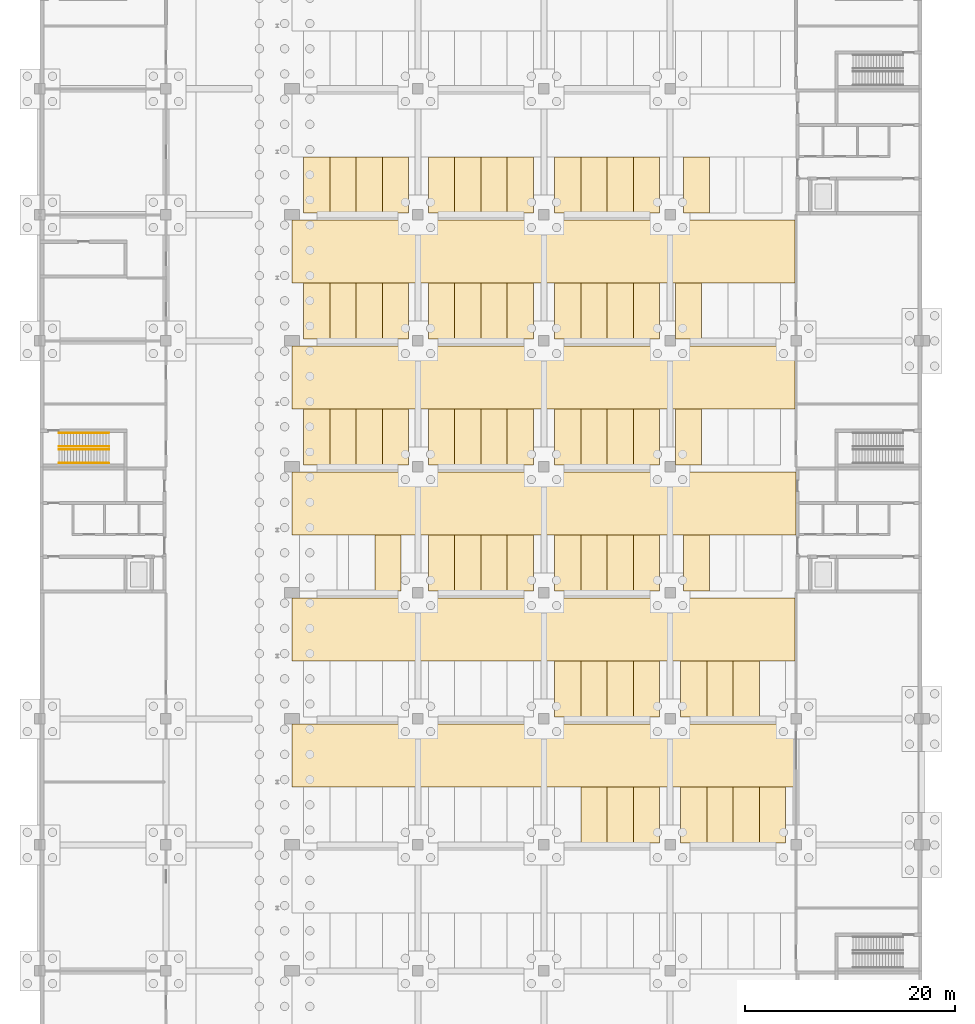
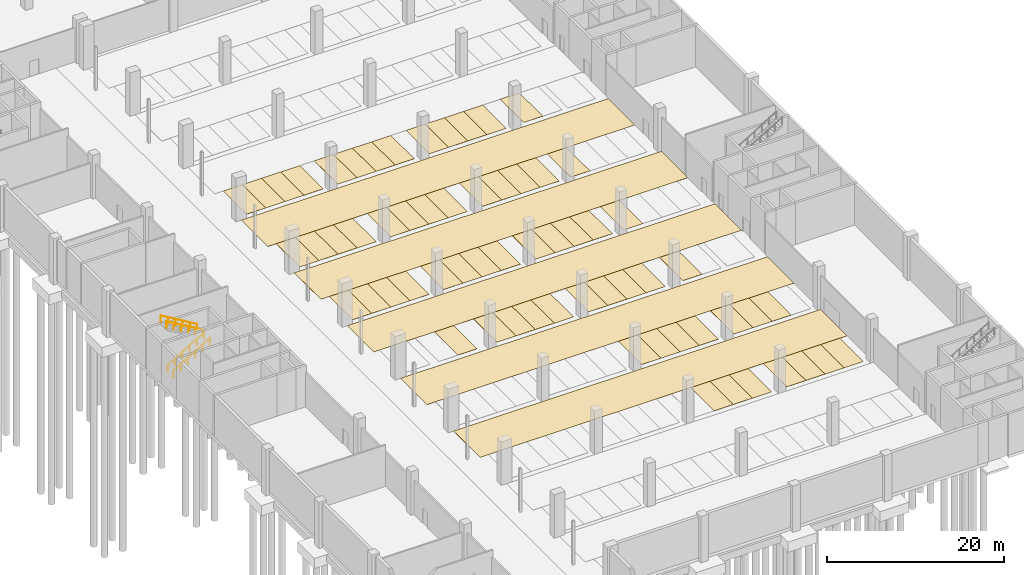
# One storey, part 31 of 34: 68 coverings, 4 railings.
"""IFC4 building model written with IfcOpenShell, lengths in metres."""

from ifc_helpers import new_model, si_unit, direction, frame, origin, origin_2d, place, context, subcontext, project, spatial, polyline, circle, outline, extrude, material, layer, layer_set, type_object, element, save


model = new_model("IFC4")

# Units and contexts
model_context = context("Model", 3, precision=1e-05, world=origin(), true_north=direction((0.0, 1.0)))
body_context = subcontext(model_context, "Body", "Model", "MODEL_VIEW")
ifc_project = project(units=[si_unit("LENGTHUNIT", "METRE"), si_unit("AREAUNIT", "SQUARE_METRE"), si_unit("VOLUMEUNIT", "CUBIC_METRE"), si_unit("PLANEANGLEUNIT", "RADIAN"), si_unit("MASSUNIT", "GRAM", prefix="KILO")], contexts=[model_context])

# Site, building, storey
site_placement = place(None, origin())
site = spatial("IfcSite", under=ifc_project, at=site_placement, CompositionType="ELEMENT")
building_placement = place(site_placement, origin())
building = spatial("IfcBuilding", under=site, at=building_placement, Name="Lilac Gate Convention Centre", CompositionType="ELEMENT")
storey_placement = place(building_placement, frame((0.0, 0.0, -6.0)))
storey = spatial("IfcBuildingStorey", under=building, at=storey_placement, Name="B1", CompositionType="ELEMENT", Elevation=-6.0)

# Coverings
ifc_material_1 = material(Name="Floor marking paint")
ifc_layer_1 = layer(ifc_material_1, 0.010009765625)
ifc_layer_set_1 = layer_set([ifc_layer_1], Name="Floor marking paint")
covering_type_1 = type_object("IfcCoveringType", Name="Parking bay marking 2500 x 5300", PredefinedType="FLOORING", material=ifc_layer_set_1)
covering_1_placement = place(storey_placement, origin())
element("IfcCovering", 1, at=covering_1_placement, inside=storey, type_object=covering_type_1, Name="Parking bay marking 40", PredefinedType="FLOORING", context=body_context, shape_type="SweptSolid", body=[
    extrude(outline(polyline([(57.5, 126.199951171875), (60.0, 126.199951171875), (60.0, 131.5), (57.5, 131.5), (57.5, 126.199951171875)])), origin(), (0.0, 0.0, 1.0), 0.010009765625),
])
covering_2_placement = place(storey_placement, origin())
element("IfcCovering", 2, at=covering_2_placement, inside=storey, type_object=covering_type_1, Name="Parking bay marking 41", PredefinedType="FLOORING", context=body_context, shape_type="SweptSolid", body=[
    extrude(outline(polyline([(60.0, 126.199951171875), (62.5, 126.199951171875), (62.5, 131.5), (60.0, 131.5), (60.0, 126.199951171875)])), origin(), (0.0, 0.0, 1.0), 0.010009765625),
])
covering_3_placement = place(storey_placement, origin())
element("IfcCovering", 3, at=covering_3_placement, inside=storey, type_object=covering_type_1, Name="Parking bay marking 42", PredefinedType="FLOORING", context=body_context, shape_type="SweptSolid", body=[
    extrude(outline(polyline([(62.5, 126.199951171875), (65.0, 126.199951171875), (65.0, 131.5), (62.5, 131.5), (62.5, 126.199951171875)])), origin(), (0.0, 0.0, 1.0), 0.010009765625),
])
covering_4_placement = place(storey_placement, origin())
element("IfcCovering", 4, at=covering_4_placement, inside=storey, type_object=covering_type_1, Name="Parking bay marking 43", PredefinedType="FLOORING", context=body_context, shape_type="SweptSolid", body=[
    extrude(outline(polyline([(67.0, 126.199951171875), (69.5, 126.199951171875), (69.5, 131.5), (67.0, 131.5), (67.0, 126.199951171875)])), origin(), (0.0, 0.0, 1.0), 0.010009765625),
])
covering_5_placement = place(storey_placement, origin())
element("IfcCovering", 5, at=covering_5_placement, inside=storey, type_object=covering_type_1, Name="Parking bay marking 44", PredefinedType="FLOORING", context=body_context, shape_type="SweptSolid", body=[
    extrude(outline(polyline([(69.5, 126.199951171875), (72.0, 126.199951171875), (72.0, 131.5), (69.5, 131.5), (69.5, 126.199951171875)])), origin(), (0.0, 0.0, 1.0), 0.010009765625),
])
covering_6_placement = place(storey_placement, origin())
element("IfcCovering", 6, at=covering_6_placement, inside=storey, type_object=covering_type_1, Name="Parking bay marking 45", PredefinedType="FLOORING", context=body_context, shape_type="SweptSolid", body=[
    extrude(outline(polyline([(72.0, 126.199951171875), (74.5, 126.199951171875), (74.5, 131.5), (72.0, 131.5), (72.0, 126.199951171875)])), origin(), (0.0, 0.0, 1.0), 0.010009765625),
])
covering_7_placement = place(storey_placement, origin())
element("IfcCovering", 7, at=covering_7_placement, inside=storey, type_object=covering_type_1, Name="Parking bay marking 46", PredefinedType="FLOORING", context=body_context, shape_type="SweptSolid", body=[
    extrude(outline(polyline([(74.5, 126.199951171875), (77.0, 126.199951171875), (77.0, 131.5), (74.5, 131.5), (74.5, 126.199951171875)])), origin(), (0.0, 0.0, 1.0), 0.010009765625),
])
covering_8_placement = place(storey_placement, origin())
element("IfcCovering", 8, at=covering_8_placement, inside=storey, type_object=covering_type_1, Name="Parking bay marking 55", PredefinedType="FLOORING", context=body_context, shape_type="SweptSolid", body=[
    extrude(outline(polyline([(55.0, 138.199951171875), (57.5, 138.199951171875), (57.5, 143.5), (55.0, 143.5), (55.0, 138.199951171875)])), origin(), (0.0, 0.0, 1.0), 0.010009765625),
])
covering_9_placement = place(storey_placement, origin())
element("IfcCovering", 9, at=covering_9_placement, inside=storey, type_object=covering_type_1, Name="Parking bay marking 56", PredefinedType="FLOORING", context=body_context, shape_type="SweptSolid", body=[
    extrude(outline(polyline([(57.5, 138.199951171875), (60.0, 138.199951171875), (60.0, 143.5), (57.5, 143.5), (57.5, 138.199951171875)])), origin(), (0.0, 0.0, 1.0), 0.010009765625),
])
covering_10_placement = place(storey_placement, origin())
element("IfcCovering", 10, at=covering_10_placement, inside=storey, type_object=covering_type_1, Name="Parking bay marking 57", PredefinedType="FLOORING", context=body_context, shape_type="SweptSolid", body=[
    extrude(outline(polyline([(60.0, 138.199951171875), (62.5, 138.199951171875), (62.5, 143.5), (60.0, 143.5), (60.0, 138.199951171875)])), origin(), (0.0, 0.0, 1.0), 0.010009765625),
])
covering_11_placement = place(storey_placement, origin())
element("IfcCovering", 11, at=covering_11_placement, inside=storey, type_object=covering_type_1, Name="Parking bay marking 58", PredefinedType="FLOORING", context=body_context, shape_type="SweptSolid", body=[
    extrude(outline(polyline([(62.5, 138.199951171875), (65.0, 138.199951171875), (65.0, 143.5), (62.5, 143.5), (62.5, 138.199951171875)])), origin(), (0.0, 0.0, 1.0), 0.010009765625),
])
covering_12_placement = place(storey_placement, origin())
element("IfcCovering", 12, at=covering_12_placement, inside=storey, type_object=covering_type_1, Name="Parking bay marking 59", PredefinedType="FLOORING", context=body_context, shape_type="SweptSolid", body=[
    extrude(outline(polyline([(67.0, 138.199951171875), (69.5, 138.199951171875), (69.5, 143.5), (67.0, 143.5), (67.0, 138.199951171875)])), origin(), (0.0, 0.0, 1.0), 0.010009765625),
])
covering_13_placement = place(storey_placement, origin())
element("IfcCovering", 13, at=covering_13_placement, inside=storey, type_object=covering_type_1, Name="Parking bay marking 60", PredefinedType="FLOORING", context=body_context, shape_type="SweptSolid", body=[
    extrude(outline(polyline([(69.5, 138.199951171875), (72.0, 138.199951171875), (72.0, 143.5), (69.5, 143.5), (69.5, 138.199951171875)])), origin(), (0.0, 0.0, 1.0), 0.010009765625),
])
covering_14_placement = place(storey_placement, origin())
element("IfcCovering", 14, at=covering_14_placement, inside=storey, type_object=covering_type_1, Name="Parking bay marking 61", PredefinedType="FLOORING", context=body_context, shape_type="SweptSolid", body=[
    extrude(outline(polyline([(72.0, 138.199951171875), (74.5, 138.199951171875), (74.5, 143.5), (72.0, 143.5), (72.0, 138.199951171875)])), origin(), (0.0, 0.0, 1.0), 0.010009765625),
])
covering_15_placement = place(storey_placement, origin())
element("IfcCovering", 15, at=covering_15_placement, inside=storey, type_object=covering_type_1, Name="Parking bay marking 64", PredefinedType="FLOORING", context=body_context, shape_type="SweptSolid", body=[
    extrude(outline(polyline([(37.89990234375, 150.199951171875), (40.39990234375, 150.199951171875), (40.39990234375, 155.5), (37.89990234375, 155.5), (37.89990234375, 150.199951171875)])), origin(), (0.0, 0.0, 1.0), 0.010009765625),
])
covering_16_placement = place(storey_placement, origin())
element("IfcCovering", 16, at=covering_16_placement, inside=storey, type_object=covering_type_1, Name="Parking bay marking 65", PredefinedType="FLOORING", context=body_context, shape_type="SweptSolid", body=[
    extrude(outline(polyline([(43.0, 150.199951171875), (45.5, 150.199951171875), (45.5, 155.5), (43.0, 155.5), (43.0, 150.199951171875)])), origin(), (0.0, 0.0, 1.0), 0.010009765625),
])
covering_17_placement = place(storey_placement, origin())
element("IfcCovering", 17, at=covering_17_placement, inside=storey, type_object=covering_type_1, Name="Parking bay marking 66", PredefinedType="FLOORING", context=body_context, shape_type="SweptSolid", body=[
    extrude(outline(polyline([(45.5, 150.199951171875), (48.0, 150.199951171875), (48.0, 155.5), (45.5, 155.5), (45.5, 150.199951171875)])), origin(), (0.0, 0.0, 1.0), 0.010009765625),
])
covering_18_placement = place(storey_placement, origin())
element("IfcCovering", 18, at=covering_18_placement, inside=storey, type_object=covering_type_1, Name="Parking bay marking 67", PredefinedType="FLOORING", context=body_context, shape_type="SweptSolid", body=[
    extrude(outline(polyline([(48.0, 150.199951171875), (50.5, 150.199951171875), (50.5, 155.5), (48.0, 155.5), (48.0, 150.199951171875)])), origin(), (0.0, 0.0, 1.0), 0.010009765625),
])
covering_19_placement = place(storey_placement, origin())
element("IfcCovering", 19, at=covering_19_placement, inside=storey, type_object=covering_type_1, Name="Parking bay marking 68", PredefinedType="FLOORING", context=body_context, shape_type="SweptSolid", body=[
    extrude(outline(polyline([(50.5, 150.199951171875), (53.0, 150.199951171875), (53.0, 155.5), (50.5, 155.5), (50.5, 150.199951171875)])), origin(), (0.0, 0.0, 1.0), 0.010009765625),
])
covering_20_placement = place(storey_placement, origin())
element("IfcCovering", 20, at=covering_20_placement, inside=storey, type_object=covering_type_1, Name="Parking bay marking 69", PredefinedType="FLOORING", context=body_context, shape_type="SweptSolid", body=[
    extrude(outline(polyline([(55.0, 150.199951171875), (57.5, 150.199951171875), (57.5, 155.5), (55.0, 155.5), (55.0, 150.199951171875)])), origin(), (0.0, 0.0, 1.0), 0.010009765625),
])
covering_21_placement = place(storey_placement, origin())
element("IfcCovering", 21, at=covering_21_placement, inside=storey, type_object=covering_type_1, Name="Parking bay marking 70", PredefinedType="FLOORING", context=body_context, shape_type="SweptSolid", body=[
    extrude(outline(polyline([(57.5, 150.199951171875), (60.0, 150.199951171875), (60.0, 155.5), (57.5, 155.5), (57.5, 150.199951171875)])), origin(), (0.0, 0.0, 1.0), 0.010009765625),
])
covering_22_placement = place(storey_placement, origin())
element("IfcCovering", 22, at=covering_22_placement, inside=storey, type_object=covering_type_1, Name="Parking bay marking 71", PredefinedType="FLOORING", context=body_context, shape_type="SweptSolid", body=[
    extrude(outline(polyline([(60.0, 150.199951171875), (62.5, 150.199951171875), (62.5, 155.5), (60.0, 155.5), (60.0, 150.199951171875)])), origin(), (0.0, 0.0, 1.0), 0.010009765625),
])
covering_23_placement = place(storey_placement, origin())
element("IfcCovering", 23, at=covering_23_placement, inside=storey, type_object=covering_type_1, Name="Parking bay marking 72", PredefinedType="FLOORING", context=body_context, shape_type="SweptSolid", body=[
    extrude(outline(polyline([(62.5, 150.199951171875), (65.0, 150.199951171875), (65.0, 155.5), (62.5, 155.5), (62.5, 150.199951171875)])), origin(), (0.0, 0.0, 1.0), 0.010009765625),
])
covering_24_placement = place(storey_placement, origin())
element("IfcCovering", 24, at=covering_24_placement, inside=storey, type_object=covering_type_1, Name="Parking bay marking 73", PredefinedType="FLOORING", context=body_context, shape_type="SweptSolid", body=[
    extrude(outline(polyline([(67.27490234375, 150.199951171875), (69.77490234375, 150.199951171875), (69.77490234375, 155.5), (67.27490234375, 155.5), (67.27490234375, 150.199951171875)])), origin(), (0.0, 0.0, 1.0), 0.010009765625),
])
covering_25_placement = place(storey_placement, origin())
element("IfcCovering", 25, at=covering_25_placement, inside=storey, type_object=covering_type_1, Name="Parking bay marking 75", PredefinedType="FLOORING", context=body_context, shape_type="SweptSolid", body=[
    extrude(outline(polyline([(31.10009765625, 162.199951171875), (33.60009765625, 162.199951171875), (33.60009765625, 167.5), (31.10009765625, 167.5), (31.10009765625, 162.199951171875)])), origin(), (0.0, 0.0, 1.0), 0.010009765625),
])
covering_26_placement = place(storey_placement, origin())
element("IfcCovering", 26, at=covering_26_placement, inside=storey, type_object=covering_type_1, Name="Parking bay marking 76", PredefinedType="FLOORING", context=body_context, shape_type="SweptSolid", body=[
    extrude(outline(polyline([(33.60009765625, 162.199951171875), (36.10009765625, 162.199951171875), (36.10009765625, 167.5), (33.60009765625, 167.5), (33.60009765625, 162.199951171875)])), origin(), (0.0, 0.0, 1.0), 0.010009765625),
])
covering_27_placement = place(storey_placement, origin())
element("IfcCovering", 27, at=covering_27_placement, inside=storey, type_object=covering_type_1, Name="Parking bay marking 77", PredefinedType="FLOORING", context=body_context, shape_type="SweptSolid", body=[
    extrude(outline(polyline([(36.10009765625, 162.199951171875), (38.60009765625, 162.199951171875), (38.60009765625, 167.5), (36.10009765625, 167.5), (36.10009765625, 162.199951171875)])), origin(), (0.0, 0.0, 1.0), 0.010009765625),
])
covering_28_placement = place(storey_placement, origin())
element("IfcCovering", 28, at=covering_28_placement, inside=storey, type_object=covering_type_1, Name="Parking bay marking 78", PredefinedType="FLOORING", context=body_context, shape_type="SweptSolid", body=[
    extrude(outline(polyline([(38.60009765625, 162.199951171875), (41.10009765625, 162.199951171875), (41.10009765625, 167.5), (38.60009765625, 167.5), (38.60009765625, 162.199951171875)])), origin(), (0.0, 0.0, 1.0), 0.010009765625),
])
covering_29_placement = place(storey_placement, origin())
element("IfcCovering", 29, at=covering_29_placement, inside=storey, type_object=covering_type_1, Name="Parking bay marking 79", PredefinedType="FLOORING", context=body_context, shape_type="SweptSolid", body=[
    extrude(outline(polyline([(43.0, 162.199951171875), (45.5, 162.199951171875), (45.5, 167.5), (43.0, 167.5), (43.0, 162.199951171875)])), origin(), (0.0, 0.0, 1.0), 0.010009765625),
])
covering_30_placement = place(storey_placement, origin())
element("IfcCovering", 30, at=covering_30_placement, inside=storey, type_object=covering_type_1, Name="Parking bay marking 80", PredefinedType="FLOORING", context=body_context, shape_type="SweptSolid", body=[
    extrude(outline(polyline([(45.5, 162.199951171875), (48.0, 162.199951171875), (48.0, 167.5), (45.5, 167.5), (45.5, 162.199951171875)])), origin(), (0.0, 0.0, 1.0), 0.010009765625),
])
covering_31_placement = place(storey_placement, origin())
element("IfcCovering", 31, at=covering_31_placement, inside=storey, type_object=covering_type_1, Name="Parking bay marking 81", PredefinedType="FLOORING", context=body_context, shape_type="SweptSolid", body=[
    extrude(outline(polyline([(48.0, 162.199951171875), (50.5, 162.199951171875), (50.5, 167.5), (48.0, 167.5), (48.0, 162.199951171875)])), origin(), (0.0, 0.0, 1.0), 0.010009765625),
])
covering_32_placement = place(storey_placement, origin())
element("IfcCovering", 32, at=covering_32_placement, inside=storey, type_object=covering_type_1, Name="Parking bay marking 82", PredefinedType="FLOORING", context=body_context, shape_type="SweptSolid", body=[
    extrude(outline(polyline([(50.5, 162.199951171875), (53.0, 162.199951171875), (53.0, 167.5), (50.5, 167.5), (50.5, 162.199951171875)])), origin(), (0.0, 0.0, 1.0), 0.010009765625),
])
covering_33_placement = place(storey_placement, origin())
element("IfcCovering", 33, at=covering_33_placement, inside=storey, type_object=covering_type_1, Name="Parking bay marking 83", PredefinedType="FLOORING", context=body_context, shape_type="SweptSolid", body=[
    extrude(outline(polyline([(55.0, 162.199951171875), (57.5, 162.199951171875), (57.5, 167.5), (55.0, 167.5), (55.0, 162.199951171875)])), origin(), (0.0, 0.0, 1.0), 0.010009765625),
])
covering_34_placement = place(storey_placement, origin())
element("IfcCovering", 34, at=covering_34_placement, inside=storey, type_object=covering_type_1, Name="Parking bay marking 84", PredefinedType="FLOORING", context=body_context, shape_type="SweptSolid", body=[
    extrude(outline(polyline([(57.5, 162.199951171875), (60.0, 162.199951171875), (60.0, 167.5), (57.5, 167.5), (57.5, 162.199951171875)])), origin(), (0.0, 0.0, 1.0), 0.010009765625),
])
covering_35_placement = place(storey_placement, origin())
element("IfcCovering", 35, at=covering_35_placement, inside=storey, type_object=covering_type_1, Name="Parking bay marking 85", PredefinedType="FLOORING", context=body_context, shape_type="SweptSolid", body=[
    extrude(outline(polyline([(60.0, 162.199951171875), (62.5, 162.199951171875), (62.5, 167.5), (60.0, 167.5), (60.0, 162.199951171875)])), origin(), (0.0, 0.0, 1.0), 0.010009765625),
])
covering_36_placement = place(storey_placement, origin())
element("IfcCovering", 36, at=covering_36_placement, inside=storey, type_object=covering_type_1, Name="Parking bay marking 86", PredefinedType="FLOORING", context=body_context, shape_type="SweptSolid", body=[
    extrude(outline(polyline([(62.5, 162.199951171875), (65.0, 162.199951171875), (65.0, 167.5), (62.5, 167.5), (62.5, 162.199951171875)])), origin(), (0.0, 0.0, 1.0), 0.010009765625),
])
covering_37_placement = place(storey_placement, origin())
element("IfcCovering", 37, at=covering_37_placement, inside=storey, type_object=covering_type_1, Name="Parking bay marking 87", PredefinedType="FLOORING", context=body_context, shape_type="SweptSolid", body=[
    extrude(outline(polyline([(66.5, 162.199951171875), (69.0, 162.199951171875), (69.0, 167.5), (66.5, 167.5), (66.5, 162.199951171875)])), origin(), (0.0, 0.0, 1.0), 0.010009765625),
])
covering_38_placement = place(storey_placement, origin())
element("IfcCovering", 38, at=covering_38_placement, inside=storey, type_object=covering_type_1, Name="Parking bay marking 91", PredefinedType="FLOORING", context=body_context, shape_type="SweptSolid", body=[
    extrude(outline(polyline([(31.10009765625, 174.199951171875), (33.60009765625, 174.199951171875), (33.60009765625, 179.5), (31.10009765625, 179.5), (31.10009765625, 174.199951171875)])), origin(), (0.0, 0.0, 1.0), 0.010009765625),
])
covering_39_placement = place(storey_placement, origin())
element("IfcCovering", 39, at=covering_39_placement, inside=storey, type_object=covering_type_1, Name="Parking bay marking 92", PredefinedType="FLOORING", context=body_context, shape_type="SweptSolid", body=[
    extrude(outline(polyline([(33.60009765625, 174.199951171875), (36.10009765625, 174.199951171875), (36.10009765625, 179.5), (33.60009765625, 179.5), (33.60009765625, 174.199951171875)])), origin(), (0.0, 0.0, 1.0), 0.010009765625),
])
covering_40_placement = place(storey_placement, origin())
element("IfcCovering", 40, at=covering_40_placement, inside=storey, type_object=covering_type_1, Name="Parking bay marking 93", PredefinedType="FLOORING", context=body_context, shape_type="SweptSolid", body=[
    extrude(outline(polyline([(36.10009765625, 174.199951171875), (38.60009765625, 174.199951171875), (38.60009765625, 179.5), (36.10009765625, 179.5), (36.10009765625, 174.199951171875)])), origin(), (0.0, 0.0, 1.0), 0.010009765625),
])
covering_41_placement = place(storey_placement, origin())
element("IfcCovering", 41, at=covering_41_placement, inside=storey, type_object=covering_type_1, Name="Parking bay marking 94", PredefinedType="FLOORING", context=body_context, shape_type="SweptSolid", body=[
    extrude(outline(polyline([(38.60009765625, 174.199951171875), (41.10009765625, 174.199951171875), (41.10009765625, 179.5), (38.60009765625, 179.5), (38.60009765625, 174.199951171875)])), origin(), (0.0, 0.0, 1.0), 0.010009765625),
])
covering_42_placement = place(storey_placement, origin())
element("IfcCovering", 42, at=covering_42_placement, inside=storey, type_object=covering_type_1, Name="Parking bay marking 95", PredefinedType="FLOORING", context=body_context, shape_type="SweptSolid", body=[
    extrude(outline(polyline([(43.0, 174.199951171875), (45.5, 174.199951171875), (45.5, 179.5), (43.0, 179.5), (43.0, 174.199951171875)])), origin(), (0.0, 0.0, 1.0), 0.010009765625),
])
covering_43_placement = place(storey_placement, origin())
element("IfcCovering", 43, at=covering_43_placement, inside=storey, type_object=covering_type_1, Name="Parking bay marking 96", PredefinedType="FLOORING", context=body_context, shape_type="SweptSolid", body=[
    extrude(outline(polyline([(45.5, 174.199951171875), (48.0, 174.199951171875), (48.0, 179.5), (45.5, 179.5), (45.5, 174.199951171875)])), origin(), (0.0, 0.0, 1.0), 0.010009765625),
])
covering_44_placement = place(storey_placement, origin())
element("IfcCovering", 44, at=covering_44_placement, inside=storey, type_object=covering_type_1, Name="Parking bay marking 97", PredefinedType="FLOORING", context=body_context, shape_type="SweptSolid", body=[
    extrude(outline(polyline([(48.0, 174.199951171875), (50.5, 174.199951171875), (50.5, 179.5), (48.0, 179.5), (48.0, 174.199951171875)])), origin(), (0.0, 0.0, 1.0), 0.010009765625),
])
covering_45_placement = place(storey_placement, origin())
element("IfcCovering", 45, at=covering_45_placement, inside=storey, type_object=covering_type_1, Name="Parking bay marking 98", PredefinedType="FLOORING", context=body_context, shape_type="SweptSolid", body=[
    extrude(outline(polyline([(50.5, 174.199951171875), (53.0, 174.199951171875), (53.0, 179.5), (50.5, 179.5), (50.5, 174.199951171875)])), origin(), (0.0, 0.0, 1.0), 0.010009765625),
])
covering_46_placement = place(storey_placement, origin())
element("IfcCovering", 46, at=covering_46_placement, inside=storey, type_object=covering_type_1, Name="Parking bay marking 99", PredefinedType="FLOORING", context=body_context, shape_type="SweptSolid", body=[
    extrude(outline(polyline([(55.0, 174.199951171875), (57.5, 174.199951171875), (57.5, 179.5), (55.0, 179.5), (55.0, 174.199951171875)])), origin(), (0.0, 0.0, 1.0), 0.010009765625),
])
covering_47_placement = place(storey_placement, origin())
element("IfcCovering", 47, at=covering_47_placement, inside=storey, type_object=covering_type_1, Name="Parking bay marking 100", PredefinedType="FLOORING", context=body_context, shape_type="SweptSolid", body=[
    extrude(outline(polyline([(57.5, 174.199951171875), (60.0, 174.199951171875), (60.0, 179.5), (57.5, 179.5), (57.5, 174.199951171875)])), origin(), (0.0, 0.0, 1.0), 0.010009765625),
])
covering_48_placement = place(storey_placement, origin())
element("IfcCovering", 48, at=covering_48_placement, inside=storey, type_object=covering_type_1, Name="Parking bay marking 101", PredefinedType="FLOORING", context=body_context, shape_type="SweptSolid", body=[
    extrude(outline(polyline([(60.0, 174.199951171875), (62.5, 174.199951171875), (62.5, 179.5), (60.0, 179.5), (60.0, 174.199951171875)])), origin(), (0.0, 0.0, 1.0), 0.010009765625),
])
covering_49_placement = place(storey_placement, origin())
element("IfcCovering", 49, at=covering_49_placement, inside=storey, type_object=covering_type_1, Name="Parking bay marking 102", PredefinedType="FLOORING", context=body_context, shape_type="SweptSolid", body=[
    extrude(outline(polyline([(62.5, 174.199951171875), (65.0, 174.199951171875), (65.0, 179.5), (62.5, 179.5), (62.5, 174.199951171875)])), origin(), (0.0, 0.0, 1.0), 0.010009765625),
])
covering_50_placement = place(storey_placement, origin())
element("IfcCovering", 50, at=covering_50_placement, inside=storey, type_object=covering_type_1, Name="Parking bay marking 103", PredefinedType="FLOORING", context=body_context, shape_type="SweptSolid", body=[
    extrude(outline(polyline([(66.5, 174.199951171875), (69.0, 174.199951171875), (69.0, 179.5), (66.5, 179.5), (66.5, 174.199951171875)])), origin(), (0.0, 0.0, 1.0), 0.010009765625),
])
covering_51_placement = place(storey_placement, origin())
element("IfcCovering", 51, at=covering_51_placement, inside=storey, type_object=covering_type_1, Name="Parking bay marking 107", PredefinedType="FLOORING", context=body_context, shape_type="SweptSolid", body=[
    extrude(outline(polyline([(31.10009765625, 186.199951171875), (33.60009765625, 186.199951171875), (33.60009765625, 191.5), (31.10009765625, 191.5), (31.10009765625, 186.199951171875)])), origin(), (0.0, 0.0, 1.0), 0.010009765625),
])
covering_52_placement = place(storey_placement, origin())
element("IfcCovering", 52, at=covering_52_placement, inside=storey, type_object=covering_type_1, Name="Parking bay marking 108", PredefinedType="FLOORING", context=body_context, shape_type="SweptSolid", body=[
    extrude(outline(polyline([(33.60009765625, 186.199951171875), (36.10009765625, 186.199951171875), (36.10009765625, 191.5), (33.60009765625, 191.5), (33.60009765625, 186.199951171875)])), origin(), (0.0, 0.0, 1.0), 0.010009765625),
])
covering_53_placement = place(storey_placement, origin())
element("IfcCovering", 53, at=covering_53_placement, inside=storey, type_object=covering_type_1, Name="Parking bay marking 109", PredefinedType="FLOORING", context=body_context, shape_type="SweptSolid", body=[
    extrude(outline(polyline([(36.10009765625, 186.199951171875), (38.60009765625, 186.199951171875), (38.60009765625, 191.5), (36.10009765625, 191.5), (36.10009765625, 186.199951171875)])), origin(), (0.0, 0.0, 1.0), 0.010009765625),
])
covering_54_placement = place(storey_placement, origin())
element("IfcCovering", 54, at=covering_54_placement, inside=storey, type_object=covering_type_1, Name="Parking bay marking 110", PredefinedType="FLOORING", context=body_context, shape_type="SweptSolid", body=[
    extrude(outline(polyline([(38.60009765625, 186.199951171875), (41.10009765625, 186.199951171875), (41.10009765625, 191.5), (38.60009765625, 191.5), (38.60009765625, 186.199951171875)])), origin(), (0.0, 0.0, 1.0), 0.010009765625),
])
covering_55_placement = place(storey_placement, origin())
element("IfcCovering", 55, at=covering_55_placement, inside=storey, type_object=covering_type_1, Name="Parking bay marking 111", PredefinedType="FLOORING", context=body_context, shape_type="SweptSolid", body=[
    extrude(outline(polyline([(43.0, 186.199951171875), (45.5, 186.199951171875), (45.5, 191.5), (43.0, 191.5), (43.0, 186.199951171875)])), origin(), (0.0, 0.0, 1.0), 0.010009765625),
])
covering_56_placement = place(storey_placement, origin())
element("IfcCovering", 56, at=covering_56_placement, inside=storey, type_object=covering_type_1, Name="Parking bay marking 112", PredefinedType="FLOORING", context=body_context, shape_type="SweptSolid", body=[
    extrude(outline(polyline([(45.5, 186.199951171875), (48.0, 186.199951171875), (48.0, 191.5), (45.5, 191.5), (45.5, 186.199951171875)])), origin(), (0.0, 0.0, 1.0), 0.010009765625),
])
covering_57_placement = place(storey_placement, origin())
element("IfcCovering", 57, at=covering_57_placement, inside=storey, type_object=covering_type_1, Name="Parking bay marking 113", PredefinedType="FLOORING", context=body_context, shape_type="SweptSolid", body=[
    extrude(outline(polyline([(48.0, 186.199951171875), (50.5, 186.199951171875), (50.5, 191.5), (48.0, 191.5), (48.0, 186.199951171875)])), origin(), (0.0, 0.0, 1.0), 0.010009765625),
])
covering_58_placement = place(storey_placement, origin())
element("IfcCovering", 58, at=covering_58_placement, inside=storey, type_object=covering_type_1, Name="Parking bay marking 114", PredefinedType="FLOORING", context=body_context, shape_type="SweptSolid", body=[
    extrude(outline(polyline([(50.5, 186.199951171875), (53.0, 186.199951171875), (53.0, 191.5), (50.5, 191.5), (50.5, 186.199951171875)])), origin(), (0.0, 0.0, 1.0), 0.010009765625),
])
covering_59_placement = place(storey_placement, origin())
element("IfcCovering", 59, at=covering_59_placement, inside=storey, type_object=covering_type_1, Name="Parking bay marking 115", PredefinedType="FLOORING", context=body_context, shape_type="SweptSolid", body=[
    extrude(outline(polyline([(55.0, 186.199951171875), (57.5, 186.199951171875), (57.5, 191.5), (55.0, 191.5), (55.0, 186.199951171875)])), origin(), (0.0, 0.0, 1.0), 0.010009765625),
])
covering_60_placement = place(storey_placement, origin())
element("IfcCovering", 60, at=covering_60_placement, inside=storey, type_object=covering_type_1, Name="Parking bay marking 116", PredefinedType="FLOORING", context=body_context, shape_type="SweptSolid", body=[
    extrude(outline(polyline([(57.5, 186.199951171875), (60.0, 186.199951171875), (60.0, 191.5), (57.5, 191.5), (57.5, 186.199951171875)])), origin(), (0.0, 0.0, 1.0), 0.010009765625),
])
covering_61_placement = place(storey_placement, origin())
element("IfcCovering", 61, at=covering_61_placement, inside=storey, type_object=covering_type_1, Name="Parking bay marking 117", PredefinedType="FLOORING", context=body_context, shape_type="SweptSolid", body=[
    extrude(outline(polyline([(60.0, 186.199951171875), (62.5, 186.199951171875), (62.5, 191.5), (60.0, 191.5), (60.0, 186.199951171875)])), origin(), (0.0, 0.0, 1.0), 0.010009765625),
])
covering_62_placement = place(storey_placement, origin())
element("IfcCovering", 62, at=covering_62_placement, inside=storey, type_object=covering_type_1, Name="Parking bay marking 118", PredefinedType="FLOORING", context=body_context, shape_type="SweptSolid", body=[
    extrude(outline(polyline([(62.5, 186.199951171875), (65.0, 186.199951171875), (65.0, 191.5), (62.5, 191.5), (62.5, 186.199951171875)])), origin(), (0.0, 0.0, 1.0), 0.010009765625),
])
covering_63_placement = place(storey_placement, origin())
element("IfcCovering", 63, at=covering_63_placement, inside=storey, type_object=covering_type_1, Name="Parking bay marking 119", PredefinedType="FLOORING", context=body_context, shape_type="SweptSolid", body=[
    extrude(outline(polyline([(67.27490234375, 186.199951171875), (69.77490234375, 186.199951171875), (69.77490234375, 191.5), (67.27490234375, 191.5), (67.27490234375, 186.199951171875)])), origin(), (0.0, 0.0, 1.0), 0.010009765625),
])
ifc_layer_2 = layer(ifc_material_1, 0.010009765625)
ifc_layer_set_2 = layer_set([ifc_layer_2], Name="Floor marking paint")
covering_type_2 = type_object("IfcCoveringType", Name="Parking drive aisle marking 6000", PredefinedType="FLOORING", material=ifc_layer_set_2)
covering_64_placement = place(storey_placement, origin())
element("IfcCovering", 64, at=covering_64_placement, inside=storey, type_object=covering_type_2, Name="Parking drive aisle 3", PredefinedType="FLOORING", context=body_context, shape_type="SweptSolid", body=[
    extrude(outline(polyline([(30.0, 131.5), (30.0, 137.5), (77.925048828125, 137.5), (77.925048828125, 131.5), (30.0, 131.5)])), origin(), (0.0, 0.0, 1.0), 0.010009765625),
])
covering_65_placement = place(storey_placement, origin())
element("IfcCovering", 65, at=covering_65_placement, inside=storey, type_object=covering_type_2, Name="Parking drive aisle 4", PredefinedType="FLOORING", context=body_context, shape_type="SweptSolid", body=[
    extrude(outline(polyline([(30.0, 143.5), (30.0, 149.5), (77.925048828125, 149.5), (77.925048828125, 143.5), (30.0, 143.5)])), origin(), (0.0, 0.0, 1.0), 0.010009765625),
])
covering_66_placement = place(storey_placement, origin())
element("IfcCovering", 66, at=covering_66_placement, inside=storey, type_object=covering_type_2, Name="Parking drive aisle 5", PredefinedType="FLOORING", context=body_context, shape_type="SweptSolid", body=[
    extrude(outline(polyline([(30.0, 155.5), (30.0, 161.5), (78.0, 161.5), (78.0, 155.5), (30.0, 155.5)])), origin(), (0.0, 0.0, 1.0), 0.010009765625),
])
covering_67_placement = place(storey_placement, origin())
element("IfcCovering", 67, at=covering_67_placement, inside=storey, type_object=covering_type_2, Name="Parking drive aisle 6", PredefinedType="FLOORING", context=body_context, shape_type="SweptSolid", body=[
    extrude(outline(polyline([(30.0, 167.5), (30.0, 173.5), (77.925048828125, 173.5), (77.925048828125, 167.89990234375), (77.89990234375, 167.89990234375), (77.89990234375, 167.5), (30.0, 167.5)])), origin(), (0.0, 0.0, 1.0), 0.010009765625),
])
covering_68_placement = place(storey_placement, origin())
element("IfcCovering", 68, at=covering_68_placement, inside=storey, type_object=covering_type_2, Name="Parking drive aisle 7", PredefinedType="FLOORING", context=body_context, shape_type="SweptSolid", body=[
    extrude(outline(polyline([(30.0, 179.5), (30.0, 185.5), (77.925048828125, 185.5), (77.925048828125, 179.5), (30.0, 179.5)])), origin(), (0.0, 0.0, 1.0), 0.010009765625),
])

# Railings
ifc_material_2 = material(Name="Stainless steel 304", Category="steel")
railing_type = type_object("IfcRailingType", Name="Stair handrail 900", PredefinedType="HANDRAIL", material=ifc_material_2)
for number, where, name in (
    (69, (7.800048828125, 162.35009765625, 0.166748046875), "Stair handrail BW3"),
    (70, (7.800048828125, 163.64990234375, 0.166748046875), "Stair handrail BW3"),
):
    element("IfcRailing", number, at=place(storey_placement, frame(where)), inside=storey, type_object=railing_type, Name=name, PredefinedType="HANDRAIL", context=body_context, shape_type="SweptSolid", body=[
        extrude(circle(Radius=0.02392578125, at=origin_2d()), frame((0.0, 0.0, 0.8759765625), z_axis=(0.859299802514, 0.0, 0.511472237174), x_axis=(0.0, 1.0, 0.0)), (0.0, 0.0, 1.0), 5.539306640625),
        extrude(circle(Radius=0.02099609375, at=origin_2d()), origin(), (0.0, 0.0, 1.0), 0.851806640625),
        extrude(circle(Radius=0.02099609375, at=origin_2d()), frame((0.951904296875, 0.0, 0.566650390625)), (0.0, 0.0, 1.0), 0.851806640625),
        extrude(circle(Radius=0.02099609375, at=origin_2d()), frame((1.904052734375, 0.0, 1.13330078125)), (0.0, 0.0, 1.0), 0.851806640625),
        extrude(circle(Radius=0.02099609375, at=origin_2d()), frame((2.85595703125, 0.0, 1.699951171875)), (0.0, 0.0, 1.0), 0.851806640625),
        extrude(circle(Radius=0.02099609375, at=origin_2d()), frame((3.80810546875, 0.0, 2.2666015625)), (0.0, 0.0, 1.0), 0.851806640625),
        extrude(circle(Radius=0.02099609375, at=origin_2d()), frame((4.760009765625, 0.0, 2.833251953125)), (0.0, 0.0, 1.0), 0.851806640625),
    ])
for number, where, name in (
    (71, (12.56005859375, 163.949951171875, 3.166748046875), "Stair handrail BW3"),
    (72, (12.56005859375, 165.25, 3.166748046875), "Stair handrail BW3"),
):
    element("IfcRailing", number, at=place(storey_placement, frame(where)), inside=storey, type_object=railing_type, Name=name, PredefinedType="HANDRAIL", context=body_context, shape_type="SweptSolid", body=[
        extrude(circle(Radius=0.02392578125, at=origin_2d()), frame((0.0, 0.0, 0.8759765625), z_axis=(-0.859299802514, 0.0, 0.511472237174), x_axis=(0.0, -1.0, 0.0)), (0.0, 0.0, 1.0), 5.539306640625),
        extrude(circle(Radius=0.02099609375, at=origin_2d()), origin(), (0.0, 0.0, 1.0), 0.851806640625),
        extrude(circle(Radius=0.02099609375, at=origin_2d()), frame((-0.951904296875, 0.0, 0.566650390625)), (0.0, 0.0, 1.0), 0.851806640625),
        extrude(circle(Radius=0.02099609375, at=origin_2d()), frame((-1.904052734375, 0.0, 1.13330078125)), (0.0, 0.0, 1.0), 0.851806640625),
        extrude(circle(Radius=0.02099609375, at=origin_2d()), frame((-2.85595703125, 0.0, 1.699951171875)), (0.0, 0.0, 1.0), 0.851806640625),
        extrude(circle(Radius=0.02099609375, at=origin_2d()), frame((-3.80810546875, 0.0, 2.2666015625)), (0.0, 0.0, 1.0), 0.851806640625),
        extrude(circle(Radius=0.02099609375, at=origin_2d()), frame((-4.760009765625, 0.0, 2.833251953125)), (0.0, 0.0, 1.0), 0.851806640625),
    ])

save(model, "model.ifc")
